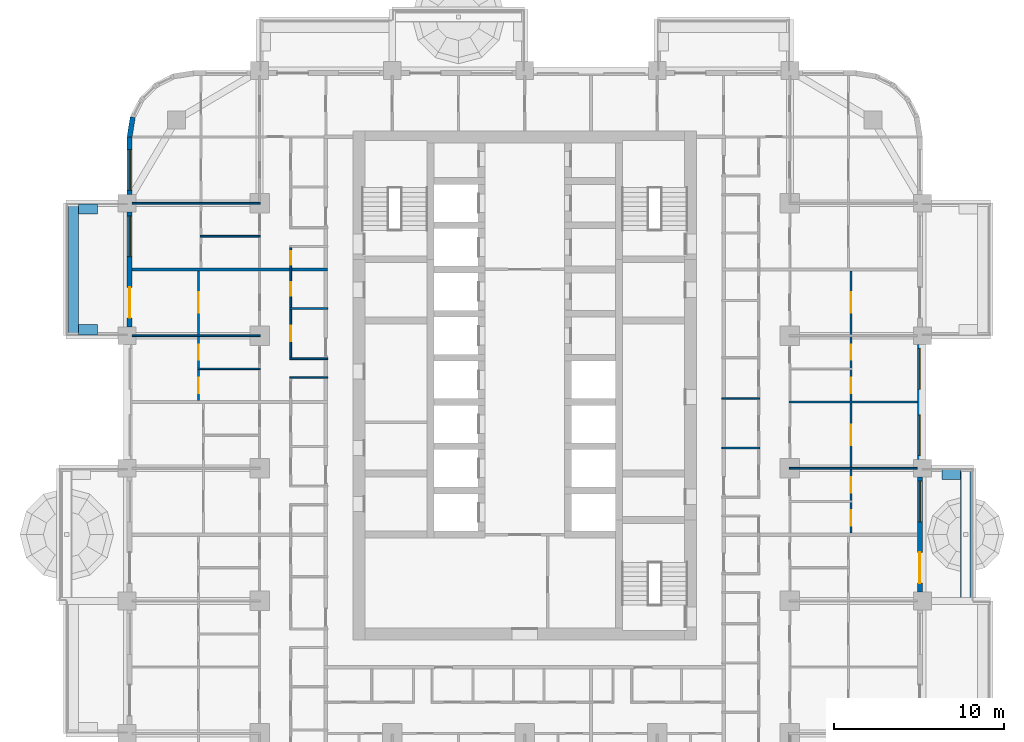
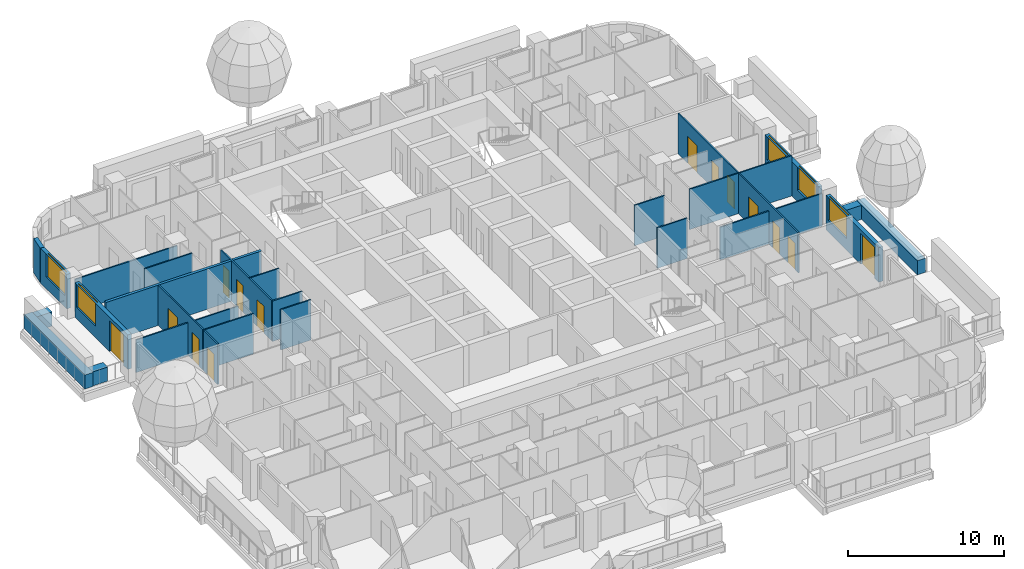
# One storey, part 9 of 18: 25 walls, 14 doors, 5 windows, 19 openings.
"""IFC4 building model written with IfcOpenShell, lengths in metres."""

from ifc_helpers import new_model, si_unit, direction, frame, frame_2d, origin, place, context, subcontext, project, spatial, rectangle, extrude, material, layer, layer_set, type_object, element, fill, save


model = new_model("IFC4")

# Units and contexts
model_context = context("Model", 3, precision=1e-05, world=origin(), true_north=direction((0.0, 1.0)))
body_context = subcontext(model_context, "Body", "Model", "MODEL_VIEW")
ifc_project = project(units=[si_unit("LENGTHUNIT", "METRE"), si_unit("AREAUNIT", "SQUARE_METRE"), si_unit("VOLUMEUNIT", "CUBIC_METRE"), si_unit("PLANEANGLEUNIT", "RADIAN"), si_unit("MASSUNIT", "GRAM", prefix="KILO")], contexts=[model_context])

# Site, building, storey
site_placement = place(None, origin())
site = spatial("IfcSite", under=ifc_project, at=site_placement, CompositionType="ELEMENT")
building_placement = place(site_placement, origin())
building = spatial("IfcBuilding", under=site, at=building_placement, Name="Ludao Terraces", CompositionType="ELEMENT")
storey_placement = place(building_placement, frame((0.0, 0.0, 26.300048828125)))
storey = spatial("IfcBuildingStorey", under=building, at=storey_placement, Name="L06", CompositionType="ELEMENT", Elevation=26.300048828125)

# Walls
ifc_material_1 = material(Name="Concrete C40", Category="concrete")
ifc_layer_1 = layer(ifc_material_1, 0.60009765625)
ifc_layer_set_1 = layer_set([ifc_layer_1], Name="ENV Planter trough 600")
wall_type_1 = type_object("IfcWallType", Name="ENV Planter trough 600", PredefinedType="USERDEFINED", material=ifc_layer_set_1)
wall_1_placement = place(storey_placement, frame((110.949951171875, 57.199951171875, 0.0), z_axis=(0.0, 0.0, 1.0), x_axis=(0.0, 1.0, 0.0)))
element("IfcWall", 1, at=wall_1_placement, inside=storey, type_object=wall_type_1, Name="PL-L06-E2", ObjectType="PLANTER", PredefinedType="USERDEFINED", context=body_context, shape_type="SweptSolid", body=[
    extrude(rectangle(XDim=7.800048828125, YDim=0.60009765625, at=frame_2d((3.89990234375, 0.0))), origin(), (0.0, 0.0, 1.0), 1.099853515625),
])
wall_2_placement = place(storey_placement, frame((110.64990234375, 64.64990234375, 0.0), z_axis=(0.0, 0.0, 1.0), x_axis=(-1.0, 0.0, 0.0)))
element("IfcWall", 2, at=wall_2_placement, inside=storey, type_object=wall_type_1, Name="PL-L06-E2-SB", ObjectType="PLANTER", PredefinedType="USERDEFINED", context=body_context, shape_type="SweptSolid", body=[
    extrude(rectangle(XDim=1.099853515625, YDim=0.60009765625, at=frame_2d((0.5498046875, 0.0))), origin(), (0.0, 0.0, 1.0), 1.099853515625),
])
wall_3_placement = place(storey_placement, frame((58.449951171875, 72.800048828125, 0.0), z_axis=(0.0, 0.0, 1.0), x_axis=(0.0, 1.0, 0.0)))
element("IfcWall", 3, at=wall_3_placement, inside=storey, type_object=wall_type_1, Name="PL-L06-W4", ObjectType="PLANTER", PredefinedType="USERDEFINED", context=body_context, shape_type="SweptSolid", body=[
    extrude(rectangle(XDim=7.800048828125, YDim=0.60009765625, at=frame_2d((3.89990234375, 0.0))), origin(), (0.0, 0.0, 1.0), 1.099853515625),
])
for number, where, z_axis, x_axis, name in (
    (4, (58.75, 73.14990234375, 0.0), (0.0, 0.0, 1.0), (1.0, 0.0, 0.0), "PL-L06-W4-SA"),
    (5, (58.75, 80.25, 0.0), (0.0, 0.0, 1.0), (1.0, 0.0, 0.0), "PL-L06-W4-SB"),
):
    element("IfcWall", number, at=place(storey_placement, frame(where, z_axis=z_axis, x_axis=x_axis)), inside=storey, type_object=wall_type_1, Name=name, ObjectType="PLANTER", PredefinedType="USERDEFINED", context=body_context, shape_type="SweptSolid", body=[
        extrude(rectangle(XDim=1.10009765625, YDim=0.60009765625, at=frame_2d((0.550048828125, 0.0))), origin(), (0.0, 0.0, 1.0), 1.099853515625),
    ])

# Wall, openings, door, window
ifc_material_2 = material(Name="Granite cladding", Category="masonry")
ifc_layer_2 = layer(ifc_material_2, 0.0400390625, Category="stone")
ifc_material_3 = material(Name="Mineral wool")
ifc_layer_3 = layer(ifc_material_3, 0.06005859375)
ifc_layer_4 = layer(ifc_material_1, 0.199951171875, Category="concrete")
ifc_layer_set_2 = layer_set([ifc_layer_2, ifc_layer_3, ifc_layer_4], Name="ENV Stone-clad wall 300")
wall_type_2 = type_object("IfcWallType", Name="ENV Stone-clad wall 300", PredefinedType="SOLIDWALL", material=ifc_layer_set_2)
wall_4_placement = place(storey_placement, frame((108.25, 57.72509765625, 0.0), z_axis=(0.0, 0.0, 1.0), x_axis=(0.0, 1.0, 0.0)))
wall_4 = element("IfcWall", 6, at=wall_4_placement, inside=storey, type_object=wall_type_2, Name="EW-L06-E3", PredefinedType="SOLIDWALL", context=body_context, shape_type="SweptSolid", body=[
    extrude(rectangle(XDim=6.75, YDim=0.300048828125, at=frame_2d((3.375, 0.0))), origin(), (0.0, 0.0, 1.0), 2.699951171875),
])
opening_1_placement = place(wall_4_placement, frame((0.52490234375, 0.0, 0.0)))
opening_1 = element("IfcOpeningElement", 7, at=opening_1_placement, cuts=wall_4, Name="Opening BD", PredefinedType="OPENING", context=body_context, shape_type="SweptSolid", body=[
    extrude(rectangle(XDim=1.800048828125, YDim=2.39990234375, at=frame_2d((0.89990234375, 1.199951171875))), frame((0.0, 0.16015625, 0.0), z_axis=(0.0, -1.0, 0.0), x_axis=(1.0, 0.0, 0.0)), (0.0, 0.0, 1.0), 0.320068359375),
])
opening_2_placement = place(wall_4_placement, frame((4.125, 0.0, 0.89990234375)))
opening_2 = element("IfcOpeningElement", 8, at=opening_2_placement, cuts=wall_4, Name="Opening W1", PredefinedType="OPENING", context=body_context, shape_type="SweptSolid", body=[
    extrude(rectangle(XDim=2.39990234375, YDim=1.800048828125, at=frame_2d((1.199951171875, 0.89990234375))), frame((0.0, 0.16015625, 0.0), z_axis=(0.0, -1.0, 0.0), x_axis=(1.0, 0.0, 0.0)), (0.0, 0.0, 1.0), 0.320068359375),
])
ifc_material_4 = material(Name="Aluminium glazed door", Category="aluminium")
ifc_layer_5 = layer(ifc_material_4, 0.06005859375)
ifc_layer_set_3 = layer_set([ifc_layer_5], Name="ENV Balcony door BD 1800x2400")
door_type_1 = type_object("IfcDoorType", Name="ENV Balcony door BD 1800x2400", OperationType="DOUBLE_DOOR_SINGLE_SWING", PredefinedType="DOOR", material=ifc_layer_set_3)
door_1_placement = place(opening_1_placement, origin())
door_1 = element("IfcDoor", 9, at=door_1_placement, inside=storey, type_object=door_type_1, Name="BD-L06-E3-1", OperationType="DOUBLE_DOOR_SINGLE_SWING", OverallHeight=2.39990234375, OverallWidth=1.800048828125, PredefinedType="DOOR", context=body_context, shape_type="SweptSolid", body=[
    extrude(rectangle(XDim=1.800048828125, YDim=2.39990234375, at=frame_2d((0.89990234375, 1.199951171875))), frame((0.0, 0.02490234375, 0.0), z_axis=(0.0, -1.0, 0.0), x_axis=(1.0, 0.0, 0.0)), (0.0, 0.0, 1.0), 0.050048828125),
])
fill(opening_1, door_1)
ifc_material_5 = material(Name="Clear glass in aluminium frame", Category="aluminium")
ifc_layer_6 = layer(ifc_material_5, 0.06005859375)
ifc_layer_set_4 = layer_set([ifc_layer_6], Name="ENV Window W1 2400x1800")
window_type = type_object("IfcWindowType", Name="ENV Window W1 2400x1800", PartitioningType="DOUBLE_PANEL_VERTICAL", PredefinedType="WINDOW", material=ifc_layer_set_4)
window_1_placement = place(opening_2_placement, origin())
window_1 = element("IfcWindow", 10, at=window_1_placement, inside=storey, type_object=window_type, Name="W-L06-E3-2", OverallHeight=1.800048828125, OverallWidth=2.39990234375, PartitioningType="DOUBLE_PANEL_VERTICAL", PredefinedType="WINDOW", context=body_context, shape_type="SweptSolid", body=[
    extrude(rectangle(XDim=2.39990234375, YDim=1.800048828125, at=frame_2d((1.199951171875, 0.89990234375))), frame((0.0, 0.030029296875, 0.0), z_axis=(0.0, -1.0, 0.0), x_axis=(1.0, 0.0, 0.0)), (0.0, 0.0, 1.0), 0.06005859375),
])
fill(opening_2, window_1)

# Wall, openings, windows
wall_5_placement = place(storey_placement, frame((108.25, 65.52490234375, 0.0), z_axis=(0.0, 0.0, 1.0), x_axis=(0.0, 1.0, 0.0)))
wall_5 = element("IfcWall", 11, at=wall_5_placement, inside=storey, type_object=wall_type_2, Name="EW-L06-E4", PredefinedType="SOLIDWALL", context=body_context, shape_type="SweptSolid", body=[
    extrude(rectangle(XDim=6.75, YDim=0.300048828125, at=frame_2d((3.375, 0.0))), origin(), (0.0, 0.0, 1.0), 2.699951171875),
])
opening_3_placement = place(wall_5_placement, frame((0.22509765625, 0.0, 0.89990234375)))
opening_3 = element("IfcOpeningElement", 12, at=opening_3_placement, cuts=wall_5, Name="Opening W1", PredefinedType="OPENING", context=body_context, shape_type="SweptSolid", body=[
    extrude(rectangle(XDim=2.39990234375, YDim=1.800048828125, at=frame_2d((1.199951171875, 0.89990234375))), frame((0.0, 0.16015625, 0.0), z_axis=(0.0, -1.0, 0.0), x_axis=(1.0, 0.0, 0.0)), (0.0, 0.0, 1.0), 0.320068359375),
])
opening_4_placement = place(wall_5_placement, frame((4.125, 0.0, 0.89990234375)))
opening_4 = element("IfcOpeningElement", 13, at=opening_4_placement, cuts=wall_5, Name="Opening W1", PredefinedType="OPENING", context=body_context, shape_type="SweptSolid", body=[
    extrude(rectangle(XDim=2.39990234375, YDim=1.800048828125, at=frame_2d((1.199951171875, 0.89990234375))), frame((0.0, 0.16015625, 0.0), z_axis=(0.0, -1.0, 0.0), x_axis=(1.0, 0.0, 0.0)), (0.0, 0.0, 1.0), 0.320068359375),
])
window_2_placement = place(opening_3_placement, origin())
window_2 = element("IfcWindow", 14, at=window_2_placement, inside=storey, type_object=window_type, Name="W-L06-E4-1", OverallHeight=1.800048828125, OverallWidth=2.39990234375, PartitioningType="DOUBLE_PANEL_VERTICAL", PredefinedType="WINDOW", context=body_context, shape_type="SweptSolid", body=[
    extrude(rectangle(XDim=2.39990234375, YDim=1.800048828125, at=frame_2d((1.199951171875, 0.89990234375))), frame((0.0, 0.030029296875, 0.0), z_axis=(0.0, -1.0, 0.0), x_axis=(1.0, 0.0, 0.0)), (0.0, 0.0, 1.0), 0.06005859375),
])
fill(opening_3, window_2)
window_3_placement = place(opening_4_placement, origin())
window_3 = element("IfcWindow", 15, at=window_3_placement, inside=storey, type_object=window_type, Name="W-L06-E4-2", OverallHeight=1.800048828125, OverallWidth=2.39990234375, PartitioningType="DOUBLE_PANEL_VERTICAL", PredefinedType="WINDOW", context=body_context, shape_type="SweptSolid", body=[
    extrude(rectangle(XDim=2.39990234375, YDim=1.800048828125, at=frame_2d((1.199951171875, 0.89990234375))), frame((0.0, 0.030029296875, 0.0), z_axis=(0.0, -1.0, 0.0), x_axis=(1.0, 0.0, 0.0)), (0.0, 0.0, 1.0), 0.06005859375),
])
fill(opening_4, window_3)

# Wall, openings, door, window
wall_6_placement = place(storey_placement, frame((61.75, 73.324951171875, 0.0), z_axis=(0.0, 0.0, 1.0), x_axis=(0.0, 1.0, 0.0)))
wall_6 = element("IfcWall", 16, at=wall_6_placement, inside=storey, type_object=wall_type_2, Name="EW-L06-W5", PredefinedType="SOLIDWALL", context=body_context, shape_type="SweptSolid", body=[
    extrude(rectangle(XDim=6.75, YDim=0.300048828125, at=frame_2d((3.375, 0.0))), origin(), (0.0, 0.0, 1.0), 2.699951171875),
])
opening_5_placement = place(wall_6_placement, frame((0.52490234375, 0.0, 0.0)))
opening_5 = element("IfcOpeningElement", 17, at=opening_5_placement, cuts=wall_6, Name="Opening BD", PredefinedType="OPENING", context=body_context, shape_type="SweptSolid", body=[
    extrude(rectangle(XDim=1.800048828125, YDim=2.39990234375, at=frame_2d((0.89990234375, 1.199951171875))), frame((0.0, 0.16015625, 0.0), z_axis=(0.0, -1.0, 0.0), x_axis=(1.0, 0.0, 0.0)), (0.0, 0.0, 1.0), 0.320068359375),
])
opening_6_placement = place(wall_6_placement, frame((4.125, 0.0, 0.89990234375)))
opening_6 = element("IfcOpeningElement", 18, at=opening_6_placement, cuts=wall_6, Name="Opening W1", PredefinedType="OPENING", context=body_context, shape_type="SweptSolid", body=[
    extrude(rectangle(XDim=2.39990234375, YDim=1.800048828125, at=frame_2d((1.199951171875, 0.89990234375))), frame((0.0, 0.16015625, 0.0), z_axis=(0.0, -1.0, 0.0), x_axis=(1.0, 0.0, 0.0)), (0.0, 0.0, 1.0), 0.320068359375),
])
door_2_placement = place(opening_5_placement, origin())
door_2 = element("IfcDoor", 19, at=door_2_placement, inside=storey, type_object=door_type_1, Name="BD-L06-W5-1", OperationType="DOUBLE_DOOR_SINGLE_SWING", OverallHeight=2.39990234375, OverallWidth=1.800048828125, PredefinedType="DOOR", context=body_context, shape_type="SweptSolid", body=[
    extrude(rectangle(XDim=1.800048828125, YDim=2.39990234375, at=frame_2d((0.89990234375, 1.199951171875))), frame((0.0, 0.02490234375, 0.0), z_axis=(0.0, -1.0, 0.0), x_axis=(1.0, 0.0, 0.0)), (0.0, 0.0, 1.0), 0.050048828125),
])
fill(opening_5, door_2)
window_4_placement = place(opening_6_placement, origin())
window_4 = element("IfcWindow", 20, at=window_4_placement, inside=storey, type_object=window_type, Name="W-L06-W5-2", OverallHeight=1.800048828125, OverallWidth=2.39990234375, PartitioningType="DOUBLE_PANEL_VERTICAL", PredefinedType="WINDOW", context=body_context, shape_type="SweptSolid", body=[
    extrude(rectangle(XDim=2.39990234375, YDim=1.800048828125, at=frame_2d((1.199951171875, 0.89990234375))), frame((0.0, 0.030029296875, 0.0), z_axis=(0.0, -1.0, 0.0), x_axis=(1.0, 0.0, 0.0)), (0.0, 0.0, 1.0), 0.06005859375),
])
fill(opening_6, window_4)

# Wall, opening, window
wall_7_placement = place(storey_placement, frame((61.75, 81.125, 0.0), z_axis=(0.0, 0.0, 1.0), x_axis=(0.0, 1.0, 0.0)))
wall_7 = element("IfcWall", 21, at=wall_7_placement, inside=storey, type_object=wall_type_2, Name="EW-L06-W6", PredefinedType="SOLIDWALL", context=body_context, shape_type="SweptSolid", body=[
    extrude(rectangle(XDim=3.375, YDim=0.300048828125, at=frame_2d((1.6875, 0.0))), origin(), (0.0, 0.0, 1.0), 2.699951171875),
])
opening_7_placement = place(wall_7_placement, frame((0.22509765625, 0.0, 0.89990234375)))
opening_7 = element("IfcOpeningElement", 22, at=opening_7_placement, cuts=wall_7, Name="Opening W1", PredefinedType="OPENING", context=body_context, shape_type="SweptSolid", body=[
    extrude(rectangle(XDim=2.39990234375, YDim=1.800048828125, at=frame_2d((1.199951171875, 0.89990234375))), frame((0.0, 0.16015625, 0.0), z_axis=(0.0, -1.0, 0.0), x_axis=(1.0, 0.0, 0.0)), (0.0, 0.0, 1.0), 0.320068359375),
])
window_5_placement = place(opening_7_placement, origin())
window_5 = element("IfcWindow", 23, at=window_5_placement, inside=storey, type_object=window_type, Name="W-L06-W6-1", OverallHeight=1.800048828125, OverallWidth=2.39990234375, PartitioningType="DOUBLE_PANEL_VERTICAL", PredefinedType="WINDOW", context=body_context, shape_type="SweptSolid", body=[
    extrude(rectangle(XDim=2.39990234375, YDim=1.800048828125, at=frame_2d((1.199951171875, 0.89990234375))), frame((0.0, 0.030029296875, 0.0), z_axis=(0.0, -1.0, 0.0), x_axis=(1.0, 0.0, 0.0)), (0.0, 0.0, 1.0), 0.06005859375),
])
fill(opening_7, window_5)

# Walls
wall_8_placement = place(storey_placement, frame((61.93359375, 85.65869140625, 0.0), z_axis=(0.0, 0.0, 1.0), x_axis=(-0.156496880861, -0.987678452879, 0.0)))
element("IfcWall", 24, at=wall_8_placement, inside=storey, type_object=wall_type_2, Name="EW-L06-NW5", PredefinedType="SOLIDWALL", context=body_context, shape_type="SweptSolid", body=[
    extrude(rectangle(XDim=1.173095703125, YDim=0.300048828125, at=frame_2d((0.58642578125, 0.0))), origin(), (0.0, 0.0, 1.0), 2.699951171875),
])
ifc_material_6 = material(Name="Gypsum plasterboard", Category="gypsum")
ifc_layer_7 = layer(ifc_material_6, 0.012451171875, Category="gypsum")
ifc_layer_8 = layer(ifc_material_3, 0.06005859375, Name="insulation")
ifc_material_7 = material(Name="Steel Q235", Category="steel")
ifc_layer_9 = layer(ifc_material_7, 0.014892578125, Name="stud")
ifc_layer_10 = layer(ifc_material_6, 0.012451171875, Category="gypsum")
ifc_layer_set_5 = layer_set([ifc_layer_7, ifc_layer_8, ifc_layer_9, ifc_layer_10], Name="INT Partition 100")
wall_type_3 = type_object("IfcWallType", Name="INT Partition 100", PredefinedType="PARTITIONING", material=ifc_layer_set_5)
wall_9_placement = place(storey_placement, frame((100.550048828125, 65.0, 0.0), z_axis=(0.0, 0.0, 1.0), x_axis=(1.0, 0.0, 0.0)))
element("IfcWall", 25, at=wall_9_placement, inside=storey, type_object=wall_type_3, Name="PW-L06-PW040", PredefinedType="PARTITIONING", context=body_context, shape_type="SweptSolid", body=[
    extrude(rectangle(XDim=7.550048828125, YDim=0.10009765625, at=frame_2d((3.77490234375, 0.0))), origin(), (0.0, 0.0, 1.0), 2.5498046875),
])
wall_10_placement = place(storey_placement, frame((96.60009765625, 66.199951171875, 0.0), z_axis=(0.0, 0.0, 1.0), x_axis=(1.0, 0.0, 0.0)))
element("IfcWall", 26, at=wall_10_placement, inside=storey, type_object=wall_type_3, Name="PW-L06-PW041", PredefinedType="PARTITIONING", context=body_context, shape_type="SweptSolid", body=[
    extrude(rectangle(XDim=2.219970703125, YDim=0.10009765625, at=frame_2d((1.10986328125, 0.0))), origin(), (0.0, 0.0, 1.0), 3.14990234375),
])
wall_11_placement = place(storey_placement, frame((100.550048828125, 68.89990234375, 0.0), z_axis=(0.0, 0.0, 1.0), x_axis=(1.0, 0.0, 0.0)))
element("IfcWall", 27, at=wall_11_placement, inside=storey, type_object=wall_type_3, Name="PW-L06-PW046", PredefinedType="PARTITIONING", context=body_context, shape_type="SweptSolid", body=[
    extrude(rectangle(XDim=7.550048828125, YDim=0.10009765625, at=frame_2d((3.77490234375, 0.0))), origin(), (0.0, 0.0, 1.0), 3.14990234375),
])
for number, where, z_axis, x_axis, name in (
    (28, (96.60009765625, 69.10009765625, 0.0), (0.0, 0.0, 1.0), (1.0, 0.0, 0.0), "PW-L06-PW047"),
    (29, (71.18017578125, 70.35009765625, 0.0), (0.0, 0.0, 1.0), (1.0, 0.0, 0.0), "PW-L06-PW048"),
):
    element("IfcWall", number, at=place(storey_placement, frame(where, z_axis=z_axis, x_axis=x_axis)), inside=storey, type_object=wall_type_3, Name=name, PredefinedType="PARTITIONING", context=body_context, shape_type="SweptSolid", body=[
        extrude(rectangle(XDim=2.219970703125, YDim=0.10009765625, at=frame_2d((1.10986328125, 0.0))), origin(), (0.0, 0.0, 1.0), 3.14990234375),
    ])
wall_12_placement = place(storey_placement, frame((65.75, 70.85009765625, 0.0), z_axis=(0.0, 0.0, 1.0), x_axis=(1.0, 0.0, 0.0)))
element("IfcWall", 30, at=wall_12_placement, inside=storey, type_object=wall_type_3, Name="PW-L06-PW049", PredefinedType="PARTITIONING", context=body_context, shape_type="SweptSolid", body=[
    extrude(rectangle(XDim=3.7001953125, YDim=0.10009765625, at=frame_2d((1.85009765625, 0.0))), origin(), (0.0, 0.0, 1.0), 3.14990234375),
])
wall_13_placement = place(storey_placement, frame((71.18017578125, 71.449951171875, 0.0), z_axis=(0.0, 0.0, 1.0), x_axis=(1.0, 0.0, 0.0)))
element("IfcWall", 31, at=wall_13_placement, inside=storey, type_object=wall_type_3, Name="PW-L06-PW051", PredefinedType="PARTITIONING", context=body_context, shape_type="SweptSolid", body=[
    extrude(rectangle(XDim=2.219970703125, YDim=0.10009765625, at=frame_2d((1.10986328125, 0.0))), origin(), (0.0, 0.0, 1.0), 3.14990234375),
])
wall_14_placement = place(storey_placement, frame((61.900146484375, 72.800048828125, 0.0), z_axis=(0.0, 0.0, 1.0), x_axis=(1.0, 0.0, 0.0)))
element("IfcWall", 32, at=wall_14_placement, inside=storey, type_object=wall_type_3, Name="PW-L06-PW053", PredefinedType="PARTITIONING", context=body_context, shape_type="SweptSolid", body=[
    extrude(rectangle(XDim=7.550048828125, YDim=0.10009765625, at=frame_2d((3.77490234375, 0.0))), origin(), (0.0, 0.0, 1.0), 2.5498046875),
])
wall_15_placement = place(storey_placement, frame((71.18017578125, 74.39990234375, 0.0), z_axis=(0.0, 0.0, 1.0), x_axis=(1.0, 0.0, 0.0)))
element("IfcWall", 33, at=wall_15_placement, inside=storey, type_object=wall_type_3, Name="PW-L06-PW055", PredefinedType="PARTITIONING", context=body_context, shape_type="SweptSolid", body=[
    extrude(rectangle(XDim=2.219970703125, YDim=0.10009765625, at=frame_2d((1.10986328125, 0.0))), origin(), (0.0, 0.0, 1.0), 3.14990234375),
])
wall_16_placement = place(storey_placement, frame((65.900146484375, 78.64990234375, 0.0), z_axis=(0.0, 0.0, 1.0), x_axis=(1.0, 0.0, 0.0)))
element("IfcWall", 34, at=wall_16_placement, inside=storey, type_object=wall_type_3, Name="PW-L06-PW061", PredefinedType="PARTITIONING", context=body_context, shape_type="SweptSolid", body=[
    extrude(rectangle(XDim=3.550048828125, YDim=0.10009765625, at=frame_2d((1.77490234375, 0.0))), origin(), (0.0, 0.0, 1.0), 3.14990234375),
])
wall_17_placement = place(storey_placement, frame((61.900146484375, 80.60009765625, 0.0), z_axis=(0.0, 0.0, 1.0), x_axis=(1.0, 0.0, 0.0)))
element("IfcWall", 35, at=wall_17_placement, inside=storey, type_object=wall_type_3, Name="PW-L06-PW064", PredefinedType="PARTITIONING", context=body_context, shape_type="SweptSolid", body=[
    extrude(rectangle(XDim=7.550048828125, YDim=0.10009765625, at=frame_2d((3.77490234375, 0.0))), origin(), (0.0, 0.0, 1.0), 2.5498046875),
])

# Wall, openings, doors
wall_18_placement = place(storey_placement, frame((65.800048828125, 69.0, 0.0), z_axis=(0.0, 0.0, 1.0), x_axis=(0.0, 1.0, 0.0)))
wall_18 = element("IfcWall", 36, at=wall_18_placement, inside=storey, type_object=wall_type_3, Name="PW-L06-PW074", PredefinedType="PARTITIONING", context=body_context, shape_type="SweptSolid", body=[
    extrude(rectangle(XDim=7.60009765625, YDim=0.10009765625, at=frame_2d((3.800048828125, 0.0))), origin(), (0.0, 0.0, 1.0), 3.14990234375),
])
opening_8_placement = place(wall_18_placement, frame((0.425048828125, 0.0, 0.0)))
opening_8 = element("IfcOpeningElement", 37, at=opening_8_placement, cuts=wall_18, Name="Opening R01-097", PredefinedType="OPENING", context=body_context, shape_type="SweptSolid", body=[
    extrude(rectangle(XDim=0.89990234375, YDim=2.10009765625, at=frame_2d((0.449951171875, 1.050048828125))), frame((0.0, 0.06005859375, 0.0), z_axis=(0.0, -1.0, 0.0), x_axis=(1.0, 0.0, 0.0)), (0.0, 0.0, 1.0), 0.1201171875),
])
opening_9_placement = place(wall_18_placement, frame((2.375, 0.0, 0.0)))
opening_9 = element("IfcOpeningElement", 38, at=opening_9_placement, cuts=wall_18, Name="Opening R01-104", PredefinedType="OPENING", context=body_context, shape_type="SweptSolid", body=[
    extrude(rectangle(XDim=0.89990234375, YDim=2.10009765625, at=frame_2d((0.449951171875, 1.050048828125))), frame((0.0, 0.06005859375, 0.0), z_axis=(0.0, -1.0, 0.0), x_axis=(1.0, 0.0, 0.0)), (0.0, 0.0, 1.0), 0.1201171875),
])
opening_10_placement = place(wall_18_placement, frame((5.150146484375, 0.0, 0.0)))
opening_10 = element("IfcOpeningElement", 39, at=opening_10_placement, cuts=wall_18, Name="Opening R01-111", PredefinedType="OPENING", context=body_context, shape_type="SweptSolid", body=[
    extrude(rectangle(XDim=1.199951171875, YDim=2.10009765625, at=frame_2d((0.60009765625, 1.050048828125))), frame((0.0, 0.06005859375, 0.0), z_axis=(0.0, -1.0, 0.0), x_axis=(1.0, 0.0, 0.0)), (0.0, 0.0, 1.0), 0.1201171875),
])
ifc_material_8 = material(Name="Timber door leaf", Category="wood")
door_type_2 = type_object("IfcDoorType", Name="INT Bathroom door 900", OperationType="SINGLE_SWING_LEFT", PredefinedType="DOOR", material=ifc_material_8)
door_3_placement = place(opening_8_placement, origin())
door_3 = element("IfcDoor", 40, at=door_3_placement, inside=storey, type_object=door_type_2, Name="DOOR 097", OperationType="SINGLE_SWING_RIGHT", OverallHeight=2.10009765625, OverallWidth=0.89990234375, PredefinedType="DOOR", context=body_context, shape_type="SweptSolid", body=[
    extrude(rectangle(XDim=0.89990234375, YDim=2.10009765625, at=frame_2d((0.449951171875, 1.050048828125))), frame((0.0, 0.02490234375, 0.0), z_axis=(0.0, -1.0, 0.0), x_axis=(1.0, 0.0, 0.0)), (0.0, 0.0, 1.0), 0.050048828125),
])
fill(opening_8, door_3)
door_type_3 = type_object("IfcDoorType", Name="INT Double door 1200", OperationType="DOUBLE_DOOR_SINGLE_SWING", PredefinedType="DOOR", material=ifc_material_8)
door_4_placement = place(opening_10_placement, origin())
door_4 = element("IfcDoor", 41, at=door_4_placement, inside=storey, type_object=door_type_3, Name="DOOR 111", OperationType="DOUBLE_DOOR_SINGLE_SWING", OverallHeight=2.10009765625, OverallWidth=1.199951171875, PredefinedType="DOOR", context=body_context, shape_type="SweptSolid", body=[
    extrude(rectangle(XDim=1.199951171875, YDim=2.10009765625, at=frame_2d((0.60009765625, 1.050048828125))), frame((0.0, 0.02490234375, 0.0), z_axis=(0.0, -1.0, 0.0), x_axis=(1.0, 0.0, 0.0)), (0.0, 0.0, 1.0), 0.050048828125),
])
fill(opening_10, door_4)
door_type_4 = type_object("IfcDoorType", Name="INT Room door 900", OperationType="SINGLE_SWING_LEFT", PredefinedType="DOOR", material=ifc_material_8)
door_5_placement = place(opening_9_placement, origin())
door_5 = element("IfcDoor", 42, at=door_5_placement, inside=storey, type_object=door_type_4, Name="DOOR 104", OperationType="SINGLE_SWING_LEFT", OverallHeight=2.10009765625, OverallWidth=0.89990234375, PredefinedType="DOOR", context=body_context, shape_type="SweptSolid", body=[
    extrude(rectangle(XDim=0.89990234375, YDim=2.10009765625, at=frame_2d((0.449951171875, 1.050048828125))), frame((0.0, 0.02490234375, 0.0), z_axis=(0.0, -1.0, 0.0), x_axis=(1.0, 0.0, 0.0)), (0.0, 0.0, 1.0), 0.050048828125),
])
fill(opening_9, door_5)

wall_19_placement = place(storey_placement, frame((71.22998046875, 71.5, 0.0), z_axis=(0.0, 0.0, 1.0), x_axis=(0.0, 1.0, 0.0)))
wall_19 = element("IfcWall", 43, at=wall_19_placement, inside=storey, type_object=wall_type_3, Name="PW-L06-PW081", PredefinedType="PARTITIONING", context=body_context, shape_type="SweptSolid", body=[
    extrude(rectangle(XDim=6.5, YDim=0.10009765625, at=frame_2d((3.25, 0.0))), origin(), (0.0, 0.0, 1.0), 3.14990234375),
])
opening_11_placement = place(wall_19_placement, frame((0.97509765625, 0.0, 0.0)))
opening_11 = element("IfcOpeningElement", 44, at=opening_11_placement, cuts=wall_19, Name="Opening R01-109", PredefinedType="OPENING", context=body_context, shape_type="SweptSolid", body=[
    extrude(rectangle(XDim=0.89990234375, YDim=2.10009765625, at=frame_2d((0.449951171875, 1.050048828125))), frame((0.0, 0.06005859375, 0.0), z_axis=(0.0, -1.0, 0.0), x_axis=(1.0, 0.0, 0.0)), (0.0, 0.0, 1.0), 0.1201171875),
])
opening_12_placement = place(wall_19_placement, frame((3.650146484375, 0.0, 0.0)))
opening_12 = element("IfcOpeningElement", 45, at=opening_12_placement, cuts=wall_19, Name="Opening R01-119", PredefinedType="OPENING", context=body_context, shape_type="SweptSolid", body=[
    extrude(rectangle(XDim=0.800048828125, YDim=2.10009765625, at=frame_2d((0.39990234375, 1.050048828125))), frame((0.0, 0.06005859375, 0.0), z_axis=(0.0, -1.0, 0.0), x_axis=(1.0, 0.0, 0.0)), (0.0, 0.0, 1.0), 0.1201171875),
])
opening_13_placement = place(wall_19_placement, frame((5.47509765625, 0.0, 0.0)))
opening_13 = element("IfcOpeningElement", 46, at=opening_13_placement, cuts=wall_19, Name="Opening R01-122", PredefinedType="OPENING", context=body_context, shape_type="SweptSolid", body=[
    extrude(rectangle(XDim=0.800048828125, YDim=2.10009765625, at=frame_2d((0.39990234375, 1.050048828125))), frame((0.0, 0.06005859375, 0.0), z_axis=(0.0, -1.0, 0.0), x_axis=(1.0, 0.0, 0.0)), (0.0, 0.0, 1.0), 0.1201171875),
])
door_6_placement = place(opening_11_placement, origin())
door_6 = element("IfcDoor", 47, at=door_6_placement, inside=storey, type_object=door_type_4, Name="DOOR 109", OperationType="SINGLE_SWING_LEFT", OverallHeight=2.10009765625, OverallWidth=0.89990234375, PredefinedType="DOOR", context=body_context, shape_type="SweptSolid", body=[
    extrude(rectangle(XDim=0.89990234375, YDim=2.10009765625, at=frame_2d((0.449951171875, 1.050048828125))), frame((0.0, 0.02490234375, 0.0), z_axis=(0.0, -1.0, 0.0), x_axis=(1.0, 0.0, 0.0)), (0.0, 0.0, 1.0), 0.050048828125),
])
fill(opening_11, door_6)
door_type_5 = type_object("IfcDoorType", Name="INT Store door 800", OperationType="SINGLE_SWING_LEFT", PredefinedType="DOOR", material=ifc_material_8)
door_7_placement = place(opening_12_placement, origin())
door_7 = element("IfcDoor", 48, at=door_7_placement, inside=storey, type_object=door_type_5, Name="DOOR 119", OperationType="SINGLE_SWING_LEFT", OverallHeight=2.10009765625, OverallWidth=0.800048828125, PredefinedType="DOOR", context=body_context, shape_type="SweptSolid", body=[
    extrude(rectangle(XDim=0.800048828125, YDim=2.10009765625, at=frame_2d((0.39990234375, 1.050048828125))), frame((0.0, 0.02490234375, 0.0), z_axis=(0.0, -1.0, 0.0), x_axis=(1.0, 0.0, 0.0)), (0.0, 0.0, 1.0), 0.050048828125),
])
fill(opening_12, door_7)
door_8_placement = place(opening_13_placement, origin())
door_8 = element("IfcDoor", 49, at=door_8_placement, inside=storey, type_object=door_type_5, Name="DOOR 122", OperationType="SINGLE_SWING_RIGHT", OverallHeight=2.10009765625, OverallWidth=0.800048828125, PredefinedType="DOOR", context=body_context, shape_type="SweptSolid", body=[
    extrude(rectangle(XDim=0.800048828125, YDim=2.10009765625, at=frame_2d((0.39990234375, 1.050048828125))), frame((0.0, 0.02490234375, 0.0), z_axis=(0.0, -1.0, 0.0), x_axis=(1.0, 0.0, 0.0)), (0.0, 0.0, 1.0), 0.050048828125),
])
fill(opening_13, door_8)

wall_20_placement = place(storey_placement, frame((104.199951171875, 61.2001953125, 0.0), z_axis=(0.0, 0.0, 1.0), x_axis=(0.0, 1.0, 0.0)))
wall_20 = element("IfcWall", 50, at=wall_20_placement, inside=storey, type_object=wall_type_3, Name="PW-L06-PW119", PredefinedType="PARTITIONING", context=body_context, shape_type="SweptSolid", body=[
    extrude(rectangle(XDim=15.39990234375, YDim=0.10009765625, at=frame_2d((7.699951171875, 0.0))), origin(), (0.0, 0.0, 1.0), 3.14990234375),
])
opening_14_placement = place(wall_20_placement, frame((0.4248046875, 0.0, 0.0)))
opening_14 = element("IfcOpeningElement", 51, at=opening_14_placement, cuts=wall_20, Name="Opening R01-073", PredefinedType="OPENING", context=body_context, shape_type="SweptSolid", body=[
    extrude(rectangle(XDim=0.89990234375, YDim=2.10009765625, at=frame_2d((0.449951171875, 1.050048828125))), frame((0.0, 0.06005859375, 0.0), z_axis=(0.0, -1.0, 0.0), x_axis=(1.0, 0.0, 0.0)), (0.0, 0.0, 1.0), 0.1201171875),
])
opening_15_placement = place(wall_20_placement, frame((2.375, 0.0, 0.0)))
opening_15 = element("IfcOpeningElement", 52, at=opening_15_placement, cuts=wall_20, Name="Opening R01-081", PredefinedType="OPENING", context=body_context, shape_type="SweptSolid", body=[
    extrude(rectangle(XDim=0.89990234375, YDim=2.10009765625, at=frame_2d((0.449951171875, 1.050048828125))), frame((0.0, 0.06005859375, 0.0), z_axis=(0.0, -1.0, 0.0), x_axis=(1.0, 0.0, 0.0)), (0.0, 0.0, 1.0), 0.1201171875),
])
opening_16_placement = place(wall_20_placement, frame((5.14990234375, 0.0, 0.0)))
opening_16 = element("IfcOpeningElement", 53, at=opening_16_placement, cuts=wall_20, Name="Opening R01-089", PredefinedType="OPENING", context=body_context, shape_type="SweptSolid", body=[
    extrude(rectangle(XDim=1.199951171875, YDim=2.10009765625, at=frame_2d((0.60009765625, 1.050048828125))), frame((0.0, 0.06005859375, 0.0), z_axis=(0.0, -1.0, 0.0), x_axis=(1.0, 0.0, 0.0)), (0.0, 0.0, 1.0), 0.1201171875),
])
opening_17_placement = place(wall_20_placement, frame((8.224853515625, 0.0, 0.0)))
opening_17 = element("IfcOpeningElement", 54, at=opening_17_placement, cuts=wall_20, Name="Opening R01-098", PredefinedType="OPENING", context=body_context, shape_type="SweptSolid", body=[
    extrude(rectangle(XDim=0.89990234375, YDim=2.10009765625, at=frame_2d((0.449951171875, 1.050048828125))), frame((0.0, 0.06005859375, 0.0), z_axis=(0.0, -1.0, 0.0), x_axis=(1.0, 0.0, 0.0)), (0.0, 0.0, 1.0), 0.1201171875),
])
opening_18_placement = place(wall_20_placement, frame((10.1748046875, 0.0, 0.0)))
opening_18 = element("IfcOpeningElement", 55, at=opening_18_placement, cuts=wall_20, Name="Opening R01-105", PredefinedType="OPENING", context=body_context, shape_type="SweptSolid", body=[
    extrude(rectangle(XDim=0.89990234375, YDim=2.10009765625, at=frame_2d((0.449951171875, 1.050048828125))), frame((0.0, 0.06005859375, 0.0), z_axis=(0.0, -1.0, 0.0), x_axis=(1.0, 0.0, 0.0)), (0.0, 0.0, 1.0), 0.1201171875),
])
opening_19_placement = place(wall_20_placement, frame((12.949951171875, 0.0, 0.0)))
opening_19 = element("IfcOpeningElement", 56, at=opening_19_placement, cuts=wall_20, Name="Opening R01-114", PredefinedType="OPENING", context=body_context, shape_type="SweptSolid", body=[
    extrude(rectangle(XDim=1.199951171875, YDim=2.10009765625, at=frame_2d((0.60009765625, 1.050048828125))), frame((0.0, 0.06005859375, 0.0), z_axis=(0.0, -1.0, 0.0), x_axis=(1.0, 0.0, 0.0)), (0.0, 0.0, 1.0), 0.1201171875),
])
door_9_placement = place(opening_14_placement, origin())
door_9 = element("IfcDoor", 57, at=door_9_placement, inside=storey, type_object=door_type_2, Name="DOOR 073", OperationType="SINGLE_SWING_LEFT", OverallHeight=2.10009765625, OverallWidth=0.89990234375, PredefinedType="DOOR", context=body_context, shape_type="SweptSolid", body=[
    extrude(rectangle(XDim=0.89990234375, YDim=2.10009765625, at=frame_2d((0.449951171875, 1.050048828125))), frame((0.0, 0.02490234375, 0.0), z_axis=(0.0, -1.0, 0.0), x_axis=(1.0, 0.0, 0.0)), (0.0, 0.0, 1.0), 0.050048828125),
])
fill(opening_14, door_9)
door_10_placement = place(opening_17_placement, origin())
door_10 = element("IfcDoor", 58, at=door_10_placement, inside=storey, type_object=door_type_2, Name="DOOR 098", OperationType="SINGLE_SWING_LEFT", OverallHeight=2.10009765625, OverallWidth=0.89990234375, PredefinedType="DOOR", context=body_context, shape_type="SweptSolid", body=[
    extrude(rectangle(XDim=0.89990234375, YDim=2.10009765625, at=frame_2d((0.449951171875, 1.050048828125))), frame((0.0, 0.02490234375, 0.0), z_axis=(0.0, -1.0, 0.0), x_axis=(1.0, 0.0, 0.0)), (0.0, 0.0, 1.0), 0.050048828125),
])
fill(opening_17, door_10)
door_11_placement = place(opening_16_placement, origin())
door_11 = element("IfcDoor", 59, at=door_11_placement, inside=storey, type_object=door_type_3, Name="DOOR 089", OperationType="DOUBLE_DOOR_SINGLE_SWING", OverallHeight=2.10009765625, OverallWidth=1.199951171875, PredefinedType="DOOR", context=body_context, shape_type="SweptSolid", body=[
    extrude(rectangle(XDim=1.199951171875, YDim=2.10009765625, at=frame_2d((0.60009765625, 1.050048828125))), frame((0.0, 0.02490234375, 0.0), z_axis=(0.0, -1.0, 0.0), x_axis=(1.0, 0.0, 0.0)), (0.0, 0.0, 1.0), 0.050048828125),
])
fill(opening_16, door_11)
door_12_placement = place(opening_19_placement, origin())
door_12 = element("IfcDoor", 60, at=door_12_placement, inside=storey, type_object=door_type_3, Name="DOOR 114", OperationType="DOUBLE_DOOR_SINGLE_SWING", OverallHeight=2.10009765625, OverallWidth=1.199951171875, PredefinedType="DOOR", context=body_context, shape_type="SweptSolid", body=[
    extrude(rectangle(XDim=1.199951171875, YDim=2.10009765625, at=frame_2d((0.60009765625, 1.050048828125))), frame((0.0, 0.02490234375, 0.0), z_axis=(0.0, -1.0, 0.0), x_axis=(1.0, 0.0, 0.0)), (0.0, 0.0, 1.0), 0.050048828125),
])
fill(opening_19, door_12)
door_13_placement = place(opening_15_placement, origin())
door_13 = element("IfcDoor", 61, at=door_13_placement, inside=storey, type_object=door_type_4, Name="DOOR 081", OperationType="SINGLE_SWING_LEFT", OverallHeight=2.10009765625, OverallWidth=0.89990234375, PredefinedType="DOOR", context=body_context, shape_type="SweptSolid", body=[
    extrude(rectangle(XDim=0.89990234375, YDim=2.10009765625, at=frame_2d((0.449951171875, 1.050048828125))), frame((0.0, 0.02490234375, 0.0), z_axis=(0.0, -1.0, 0.0), x_axis=(1.0, 0.0, 0.0)), (0.0, 0.0, 1.0), 0.050048828125),
])
fill(opening_15, door_13)
door_14_placement = place(opening_18_placement, origin())
door_14 = element("IfcDoor", 62, at=door_14_placement, inside=storey, type_object=door_type_4, Name="DOOR 105", OperationType="SINGLE_SWING_RIGHT", OverallHeight=2.10009765625, OverallWidth=0.89990234375, PredefinedType="DOOR", context=body_context, shape_type="SweptSolid", body=[
    extrude(rectangle(XDim=0.89990234375, YDim=2.10009765625, at=frame_2d((0.449951171875, 1.050048828125))), frame((0.0, 0.02490234375, 0.0), z_axis=(0.0, -1.0, 0.0), x_axis=(1.0, 0.0, 0.0)), (0.0, 0.0, 1.0), 0.050048828125),
])
fill(opening_18, door_14)

# Wall
ifc_material_9 = material(Name="Autoclaved aerated concrete block B06 A3.5", Category="concrete")
ifc_layer_11 = layer(ifc_material_9, 0.199951171875)
ifc_layer_set_6 = layer_set([ifc_layer_11], Name="INT Party wall 200")
wall_type_4 = type_object("IfcWallType", Name="INT Party wall 200", PredefinedType="PARTITIONING", material=ifc_layer_set_6)
wall_21_placement = place(storey_placement, frame((61.900146484375, 76.699951171875, 0.0), z_axis=(0.0, 0.0, 1.0), x_axis=(1.0, 0.0, 0.0)))
element("IfcWall", 63, at=wall_21_placement, inside=storey, type_object=wall_type_4, Name="PW-L06-PW057", PredefinedType="PARTITIONING", context=body_context, shape_type="SweptSolid", body=[
    extrude(rectangle(XDim=11.5, YDim=0.199951171875, at=frame_2d((5.75, 0.0))), origin(), (0.0, 0.0, 1.0), 3.14990234375),
])

save(model, "model.ifc")
